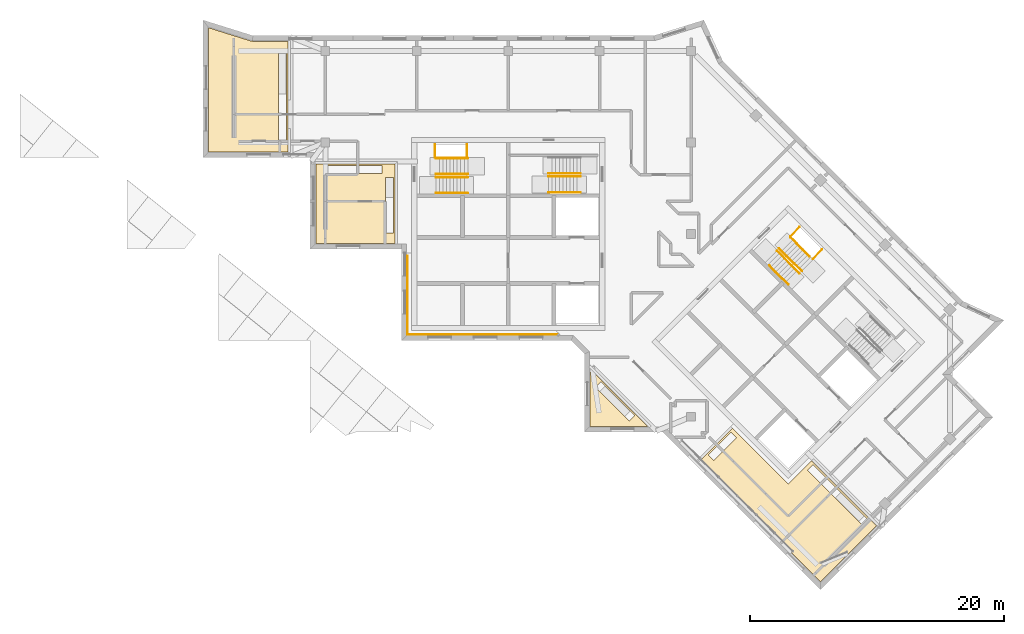
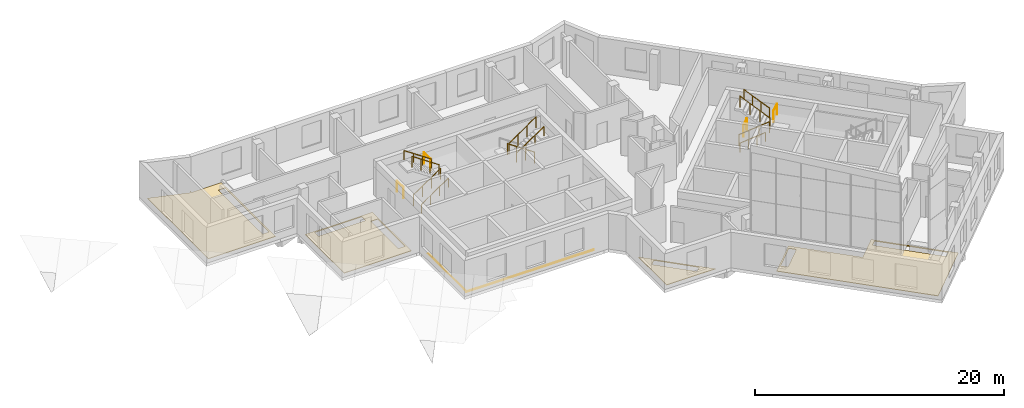
# One storey, part 11 of 13: 15 railings, 5 coverings.
"""IFC4 building model written with IfcOpenShell, lengths in metres."""

from ifc_helpers import new_model, si_unit, direction, frame, origin, origin_2d, place, context, subcontext, project, spatial, polyline, circle, outline, extrude, material, layer, layer_set, type_object, element, save


model = new_model("IFC4")

# Units and contexts
model_context = context("Model", 3, precision=1e-05, world=origin(), true_north=direction((0.0, 1.0)))
body_context = subcontext(model_context, "Body", "Model", "MODEL_VIEW")
ifc_project = project(units=[si_unit("LENGTHUNIT", "METRE"), si_unit("AREAUNIT", "SQUARE_METRE"), si_unit("VOLUMEUNIT", "CUBIC_METRE"), si_unit("PLANEANGLEUNIT", "RADIAN"), si_unit("MASSUNIT", "GRAM", prefix="KILO")], contexts=[model_context])

# Site, building, storey
site_placement = place(None, origin())
site = spatial("IfcSite", under=ifc_project, at=site_placement, CompositionType="ELEMENT")
building_placement = place(site_placement, origin())
building = spatial("IfcBuilding", under=site, at=building_placement, Name="Windrow Commons", CompositionType="ELEMENT")
storey_placement = place(building_placement, frame((0.0, 0.0, 294.4)))
storey = spatial("IfcBuildingStorey", under=building, at=storey_placement, Name="L80", CompositionType="ELEMENT", Elevation=294.4)

# Railings
ifc_material_1 = material(Name="Steel S355", Category="steel")
railing_type_1 = type_object("IfcRailingType", Name="Core stair guard 1100", PredefinedType="GUARDRAIL", material=ifc_material_1)
railing_1_placement = place(storey_placement, frame((59.1, 62.05, 0.19)))
element("IfcRailing", 1, at=railing_1_placement, inside=storey, type_object=railing_type_1, Name="L80 ST-A1 stair guard 1", PredefinedType="GUARDRAIL", context=body_context, shape_type="SweptSolid", body=[
    extrude(circle(Radius=0.024, at=origin_2d()), frame((0.0, 0.0, 1.076), z_axis=(0.8274757744, 0.0, 0.5615014183), x_axis=(0.0, 1.0, 0.0)), (0.0, 0.0, 1.0), 3.0454),
    extrude(circle(Radius=0.021, at=origin_2d()), origin(), (0.0, 0.0, 1.0), 1.052),
    extrude(circle(Radius=0.021, at=origin_2d()), frame((0.84, 0.0, 0.57)), (0.0, 0.0, 1.0), 1.052),
    extrude(circle(Radius=0.021, at=origin_2d()), frame((1.68, 0.0, 1.14)), (0.0, 0.0, 1.0), 1.052),
    extrude(circle(Radius=0.021, at=origin_2d()), frame((2.52, 0.0, 1.71)), (0.0, 0.0, 1.0), 1.052),
])
railing_2_placement = place(storey_placement, frame((61.62, 62.3, 2.09)))
element("IfcRailing", 2, at=railing_2_placement, inside=storey, type_object=railing_type_1, Name="L80 ST-A1 stair guard 2", PredefinedType="GUARDRAIL", context=body_context, shape_type="SweptSolid", body=[
    extrude(circle(Radius=0.024, at=origin_2d()), frame((0.0, 0.0, 1.076), z_axis=(-0.8274757744, 0.0, 0.5615014183), x_axis=(0.0, -1.0, 0.0)), (0.0, 0.0, 1.0), 3.0454),
    extrude(circle(Radius=0.021, at=origin_2d()), origin(), (0.0, 0.0, 1.0), 1.052),
    extrude(circle(Radius=0.021, at=origin_2d()), frame((-0.84, 0.0, 0.57)), (0.0, 0.0, 1.0), 1.052),
    extrude(circle(Radius=0.021, at=origin_2d()), frame((-1.68, 0.0, 1.14)), (0.0, 0.0, 1.0), 1.052),
    extrude(circle(Radius=0.021, at=origin_2d()), frame((-2.52, 0.0, 1.71)), (0.0, 0.0, 1.0), 1.052),
])
for number, where, name in (
    (3, (59.05, 63.6, 0.0), "L80 ST-A1 stair guard 3"),
    (4, (61.55, 63.6, 1.9), "L80 ST-A1 stair guard 4"),
):
    element("IfcRailing", number, at=place(storey_placement, frame(where)), inside=storey, type_object=railing_type_1, Name=name, PredefinedType="GUARDRAIL", context=body_context, shape_type="SweptSolid", body=[
        extrude(circle(Radius=0.024, at=origin_2d()), frame((0.0, 0.0, 1.076), z_axis=(0.0, 1.0, 0.0), x_axis=(-1.0, 0.0, 0.0)), (0.0, 0.0, 1.0), 1.03),
        extrude(circle(Radius=0.021, at=origin_2d()), origin(), (0.0, 0.0, 1.0), 1.052),
        extrude(circle(Radius=0.021, at=origin_2d()), frame((0.0, 1.03, 0.0)), (0.0, 0.0, 1.0), 1.052),
    ])
railing_3_placement = place(storey_placement, frame((70.5, 62.355, 0.19)))
element("IfcRailing", 5, at=railing_3_placement, inside=storey, type_object=railing_type_1, Name="L80 ST-A2 stair guard 1", PredefinedType="GUARDRAIL", context=body_context, shape_type="SweptSolid", body=[
    extrude(circle(Radius=0.024, at=origin_2d()), frame((0.0, 0.0, 1.076), z_axis=(-0.8274757744, 0.0, 0.5615014183), x_axis=(0.0, -1.0, 0.0)), (0.0, 0.0, 1.0), 3.0454),
    extrude(circle(Radius=0.021, at=origin_2d()), origin(), (0.0, 0.0, 1.0), 1.052),
    extrude(circle(Radius=0.021, at=origin_2d()), frame((-0.84, 0.0, 0.57)), (0.0, 0.0, 1.0), 1.052),
    extrude(circle(Radius=0.021, at=origin_2d()), frame((-1.68, 0.0, 1.14)), (0.0, 0.0, 1.0), 1.052),
    extrude(circle(Radius=0.021, at=origin_2d()), frame((-2.52, 0.0, 1.71)), (0.0, 0.0, 1.0), 1.052),
])
railing_4_placement = place(storey_placement, frame((67.98, 62.105, 2.09)))
element("IfcRailing", 6, at=railing_4_placement, inside=storey, type_object=railing_type_1, Name="L80 ST-A2 stair guard 2", PredefinedType="GUARDRAIL", context=body_context, shape_type="SweptSolid", body=[
    extrude(circle(Radius=0.024, at=origin_2d()), frame((0.0, 0.0, 1.076), z_axis=(0.8274757744, 0.0, 0.5615014183), x_axis=(0.0, 1.0, 0.0)), (0.0, 0.0, 1.0), 3.0454),
    extrude(circle(Radius=0.021, at=origin_2d()), origin(), (0.0, 0.0, 1.0), 1.052),
    extrude(circle(Radius=0.021, at=origin_2d()), frame((0.84, 0.0, 0.57)), (0.0, 0.0, 1.0), 1.052),
    extrude(circle(Radius=0.021, at=origin_2d()), frame((1.68, 0.0, 1.14)), (0.0, 0.0, 1.0), 1.052),
    extrude(circle(Radius=0.021, at=origin_2d()), frame((2.52, 0.0, 1.71)), (0.0, 0.0, 1.0), 1.052),
])
railing_5_placement = place(storey_placement, frame((85.9529, 56.2669, 0.19)))
element("IfcRailing", 7, at=railing_5_placement, inside=storey, type_object=railing_type_1, Name="L80 ST-B1 stair guard 1", PredefinedType="GUARDRAIL", context=body_context, shape_type="SweptSolid", body=[
    extrude(circle(Radius=0.024, at=origin_2d()), frame((0.0, 0.0, 1.076), z_axis=(0.5851127904, -0.5851127904, 0.5615033793), x_axis=(0.7071067812, 0.7071067812, 0.0)), (0.0, 0.0, 1.0), 3.0454),
    extrude(circle(Radius=0.021, at=origin_2d()), origin(), (0.0, 0.0, 1.0), 1.052),
    extrude(circle(Radius=0.021, at=origin_2d()), frame((0.594, -0.594, 0.57)), (0.0, 0.0, 1.0), 1.052),
    extrude(circle(Radius=0.021, at=origin_2d()), frame((1.1879, -1.1879, 1.14)), (0.0, 0.0, 1.0), 1.052),
    extrude(circle(Radius=0.021, at=origin_2d()), frame((1.7819, -1.7819, 1.71)), (0.0, 0.0, 1.0), 1.052),
])
railing_6_placement = place(storey_placement, frame((87.9116, 54.6617, 2.09)))
element("IfcRailing", 8, at=railing_6_placement, inside=storey, type_object=railing_type_1, Name="L80 ST-B1 stair guard 2", PredefinedType="GUARDRAIL", context=body_context, shape_type="SweptSolid", body=[
    extrude(circle(Radius=0.024, at=origin_2d()), frame((0.0, 0.0, 1.076), z_axis=(-0.5851231427, 0.5851231427, 0.5614818036), x_axis=(-0.7071067812, -0.7071067812, 0.0)), (0.0, 0.0, 1.0), 3.0455),
    extrude(circle(Radius=0.021, at=origin_2d()), origin(), (0.0, 0.0, 1.0), 1.052),
    extrude(circle(Radius=0.021, at=origin_2d()), frame((-0.594, 0.594, 0.57)), (0.0, 0.0, 1.0), 1.052),
    extrude(circle(Radius=0.021, at=origin_2d()), frame((-1.188, 1.188, 1.14)), (0.0, 0.0, 1.0), 1.052),
    extrude(circle(Radius=0.021, at=origin_2d()), frame((-1.782, 1.782, 1.71)), (0.0, 0.0, 1.0), 1.052),
])
railing_7_placement = place(storey_placement, frame((87.0135, 57.3982, 0.0)))
element("IfcRailing", 9, at=railing_7_placement, inside=storey, type_object=railing_type_1, Name="L80 ST-B1 stair guard 3", PredefinedType="GUARDRAIL", context=body_context, shape_type="SweptSolid", body=[
    extrude(circle(Radius=0.024, at=origin_2d()), frame((0.0, 0.0, 1.076), z_axis=(0.7070582378, 0.7071553212, 0.0), x_axis=(-0.7071553212, 0.7070582378, 0.0)), (0.0, 0.0, 1.0), 1.03),
    extrude(circle(Radius=0.021, at=origin_2d()), origin(), (0.0, 0.0, 1.0), 1.052),
    extrude(circle(Radius=0.021, at=origin_2d()), frame((0.7283, 0.7284, 0.0)), (0.0, 0.0, 1.0), 1.052),
])
railing_8_placement = place(storey_placement, frame((88.7813, 55.6305, 1.9)))
element("IfcRailing", 10, at=railing_8_placement, inside=storey, type_object=railing_type_1, Name="L80 ST-B1 stair guard 4", PredefinedType="GUARDRAIL", context=body_context, shape_type="SweptSolid", body=[
    extrude(circle(Radius=0.024, at=origin_2d()), frame((0.0, 0.0, 1.076), z_axis=(0.7071067812, 0.7071067812, 0.0), x_axis=(-0.7071067812, 0.7071067812, 0.0)), (0.0, 0.0, 1.0), 1.03),
    extrude(circle(Radius=0.021, at=origin_2d()), origin(), (0.0, 0.0, 1.0), 1.052),
    extrude(circle(Radius=0.021, at=origin_2d()), frame((0.7283, 0.7283, 0.0)), (0.0, 0.0, 1.0), 1.052),
])
ifc_material_2 = material(Name="Steel S355", Category="steel")
railing_type_2 = type_object("IfcRailingType", Name="Core stair handrail 900", PredefinedType="HANDRAIL", material=ifc_material_2)
railing_9_placement = place(storey_placement, frame((59.1, 60.8, 0.19)))
element("IfcRailing", 11, at=railing_9_placement, inside=storey, type_object=railing_type_2, Name="L80 ST-A1 stair handrail 1", PredefinedType="HANDRAIL", context=body_context, shape_type="SweptSolid", body=[
    extrude(circle(Radius=0.024, at=origin_2d()), frame((0.0, 0.0, 0.876), z_axis=(0.8274757744, 0.0, 0.5615014183), x_axis=(0.0, 1.0, 0.0)), (0.0, 0.0, 1.0), 3.0454),
    extrude(circle(Radius=0.021, at=origin_2d()), origin(), (0.0, 0.0, 1.0), 0.852),
    extrude(circle(Radius=0.021, at=origin_2d()), frame((0.84, 0.0, 0.57)), (0.0, 0.0, 1.0), 0.852),
    extrude(circle(Radius=0.021, at=origin_2d()), frame((1.68, 0.0, 1.14)), (0.0, 0.0, 1.0), 0.852),
    extrude(circle(Radius=0.021, at=origin_2d()), frame((2.52, 0.0, 1.71)), (0.0, 0.0, 1.0), 0.852),
])
railing_10_placement = place(storey_placement, frame((61.62, 63.55, 2.09)))
element("IfcRailing", 12, at=railing_10_placement, inside=storey, type_object=railing_type_2, Name="L80 ST-A1 stair handrail 2", PredefinedType="HANDRAIL", context=body_context, shape_type="SweptSolid", body=[
    extrude(circle(Radius=0.024, at=origin_2d()), frame((0.0, 0.0, 0.876), z_axis=(-0.8274757744, 0.0, 0.5615014183), x_axis=(0.0, -1.0, 0.0)), (0.0, 0.0, 1.0), 3.0454),
    extrude(circle(Radius=0.021, at=origin_2d()), origin(), (0.0, 0.0, 1.0), 0.852),
    extrude(circle(Radius=0.021, at=origin_2d()), frame((-0.84, 0.0, 0.57)), (0.0, 0.0, 1.0), 0.852),
    extrude(circle(Radius=0.021, at=origin_2d()), frame((-1.68, 0.0, 1.14)), (0.0, 0.0, 1.0), 0.852),
    extrude(circle(Radius=0.021, at=origin_2d()), frame((-2.52, 0.0, 1.71)), (0.0, 0.0, 1.0), 0.852),
])
railing_11_placement = place(storey_placement, frame((67.98, 60.855, 2.09)))
element("IfcRailing", 13, at=railing_11_placement, inside=storey, type_object=railing_type_2, Name="L80 ST-A2 stair handrail 2", PredefinedType="HANDRAIL", context=body_context, shape_type="SweptSolid", body=[
    extrude(circle(Radius=0.024, at=origin_2d()), frame((0.0, 0.0, 0.876), z_axis=(0.8274757744, 0.0, 0.5615014183), x_axis=(0.0, 1.0, 0.0)), (0.0, 0.0, 1.0), 3.0454),
    extrude(circle(Radius=0.021, at=origin_2d()), origin(), (0.0, 0.0, 1.0), 0.852),
    extrude(circle(Radius=0.021, at=origin_2d()), frame((0.84, 0.0, 0.57)), (0.0, 0.0, 1.0), 0.852),
    extrude(circle(Radius=0.021, at=origin_2d()), frame((1.68, 0.0, 1.14)), (0.0, 0.0, 1.0), 0.852),
    extrude(circle(Radius=0.021, at=origin_2d()), frame((2.52, 0.0, 1.71)), (0.0, 0.0, 1.0), 0.852),
])
railing_12_placement = place(storey_placement, frame((85.3518, 55.1001, 0.4614)))
element("IfcRailing", 14, at=railing_12_placement, inside=storey, type_object=railing_type_2, Name="L80 ST-B1 stair handrail 1", PredefinedType="HANDRAIL", context=body_context, shape_type="SweptSolid", body=[
    extrude(circle(Radius=0.024, at=origin_2d()), frame((0.0, 0.0, 0.876), z_axis=(0.5851275679, -0.5850885359, 0.561513254), x_axis=(0.7070831956, 0.707130366, 0.0)), (0.0, 0.0, 1.0), 2.562),
    extrude(circle(Radius=0.021, at=origin_2d()), origin(), (0.0, 0.0, 1.0), 0.852),
    extrude(circle(Radius=0.021, at=origin_2d()), frame((0.4997, -0.4997, 0.4795)), (0.0, 0.0, 1.0), 0.852),
    extrude(circle(Radius=0.021, at=origin_2d()), frame((0.9994, -0.9993, 0.9591)), (0.0, 0.0, 1.0), 0.852),
    extrude(circle(Radius=0.021, at=origin_2d()), frame((1.4991, -1.499, 1.4386)), (0.0, 0.0, 1.0), 0.852),
])
railing_13_placement = place(storey_placement, frame((88.5126, 55.8285, 2.3614)))
element("IfcRailing", 15, at=railing_13_placement, inside=storey, type_object=railing_type_2, Name="L80 ST-B1 stair handrail 2", PredefinedType="HANDRAIL", context=body_context, shape_type="SweptSolid", body=[
    extrude(circle(Radius=0.024, at=origin_2d()), frame((0.0, 0.0, 0.876), z_axis=(-0.5851275679, 0.5850885359, 0.561513254), x_axis=(-0.7070831956, -0.707130366, 0.0)), (0.0, 0.0, 1.0), 2.562),
    extrude(circle(Radius=0.021, at=origin_2d()), origin(), (0.0, 0.0, 1.0), 0.852),
    extrude(circle(Radius=0.021, at=origin_2d()), frame((-0.4997, 0.4997, 0.4795)), (0.0, 0.0, 1.0), 0.852),
    extrude(circle(Radius=0.021, at=origin_2d()), frame((-0.9994, 0.9993, 0.9591)), (0.0, 0.0, 1.0), 0.852),
    extrude(circle(Radius=0.021, at=origin_2d()), frame((-1.4991, 1.499, 1.4386)), (0.0, 0.0, 1.0), 0.852),
])

# Coverings
ifc_material_3 = material(Name="Granite pavers on waterproofing membrane", Category="masonry")
ifc_layer = layer(ifc_material_3, 0.05)
ifc_layer_set = layer_set([ifc_layer], Name="Terrace roofing 50")
covering_type = type_object("IfcCoveringType", Name="Terrace roofing 50", PredefinedType="ROOFING", material=ifc_layer_set)
placement = place(storey_placement, origin())
element("IfcCovering", 16, at=placement, inside=storey, type_object=covering_type, Name="Terrace roofing TR-L80-1", PredefinedType="ROOFING", context=body_context, shape_type="SweptSolid", body=[
    extrude(outline(polyline([(47.457, 72.75), (47.457, 64.05), (41.217, 64.05), (41.217, 73.8208), (44.6055, 72.7614), (44.6801, 73.0), (44.6801, 72.75), (47.457, 72.75)]), holes=[polyline([(47.327, 64.85), (47.327, 71.95), (46.707, 71.95), (46.707, 64.85), (47.327, 64.85)])]), origin(), (0.0, 0.0, 1.0), 0.05),
])
element("IfcCovering", 17, at=placement, inside=storey, type_object=covering_type, Name="Terrace roofing TR-L80-2", PredefinedType="ROOFING", context=body_context, shape_type="SweptSolid", body=[
    extrude(outline(polyline([(49.65, 63.09), (55.89, 63.09), (55.89, 56.85), (49.65, 56.85), (49.65, 63.09)]), holes=[polyline([(55.76, 62.05), (55.14, 62.05), (55.14, 57.65), (55.76, 57.65), (55.76, 62.05)]), polyline([(54.85, 62.96), (50.45, 62.96), (50.45, 62.34), (54.85, 62.34), (54.85, 62.96)])]), origin(), (0.0, 0.0, 1.0), 0.05),
])
element("IfcCovering", 18, at=placement, inside=storey, type_object=covering_type, Name="Terrace roofing TR-L80-3", PredefinedType="ROOFING", context=body_context, shape_type="SweptSolid", body=[
    extrude(outline(polyline([(68.6402, 49.65), (56.85, 49.65), (56.85, 55.89), (56.9, 55.89), (56.9, 49.7), (68.6902, 49.7), (68.6402, 49.65)])), origin(), (0.0, 0.0, 1.0), 0.05),
])
element("IfcCovering", 19, at=placement, inside=storey, type_object=covering_type, Name="Terrace roofing TR-L80-4", PredefinedType="ROOFING", context=body_context, shape_type="SweptSolid", body=[
    extrude(outline(polyline([(75.7846, 42.45), (71.25, 42.45), (71.25, 46.9846), (75.7846, 42.45)]), holes=[polyline([(72.0935, 45.9573), (71.6551, 45.5189), (74.3189, 42.8551), (74.7573, 43.2935), (72.0935, 45.9573)])]), origin(), (0.0, 0.0, 1.0), 0.05),
])
element("IfcCovering", 20, at=placement, inside=storey, type_object=covering_type, Name="Terrace roofing TR-L80-5", PredefinedType="ROOFING", context=body_context, shape_type="SweptSolid", body=[
    extrude(outline(polyline([(93.7947, 34.6223), (89.3823, 30.21), (79.8788, 39.7135), (82.4598, 42.2944), (82.382, 42.3722), (86.8368, 37.9175), (88.6682, 39.7489), (93.7947, 34.6223)]), holes=[polyline([(88.8025, 39.4307), (88.3641, 38.9923), (92.6987, 34.6577), (93.1371, 35.0961), (88.8025, 39.4307)]), polyline([(82.3254, 41.9763), (80.5364, 40.1873), (80.9748, 39.7489), (82.7638, 41.5378), (82.3254, 41.9763)])]), origin(), (0.0, 0.0, 1.0), 0.05),
])

save(model, "model.ifc")
